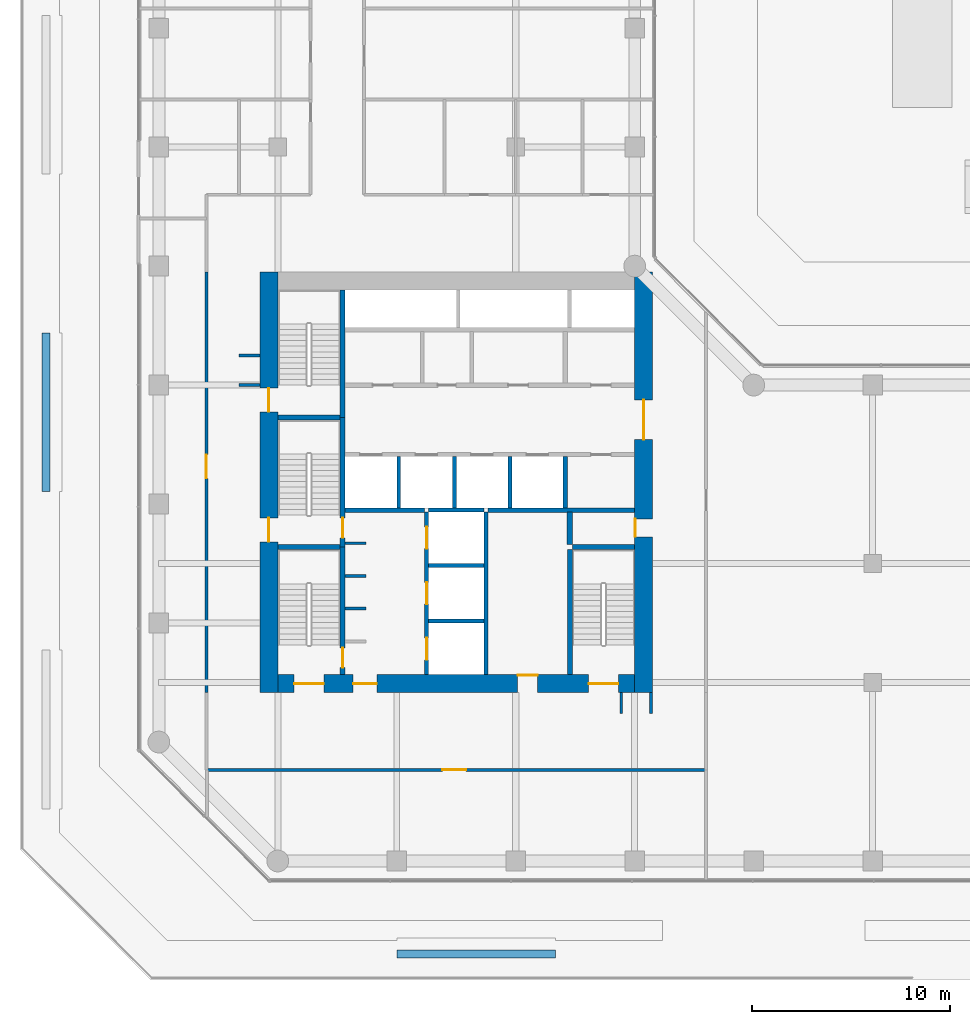
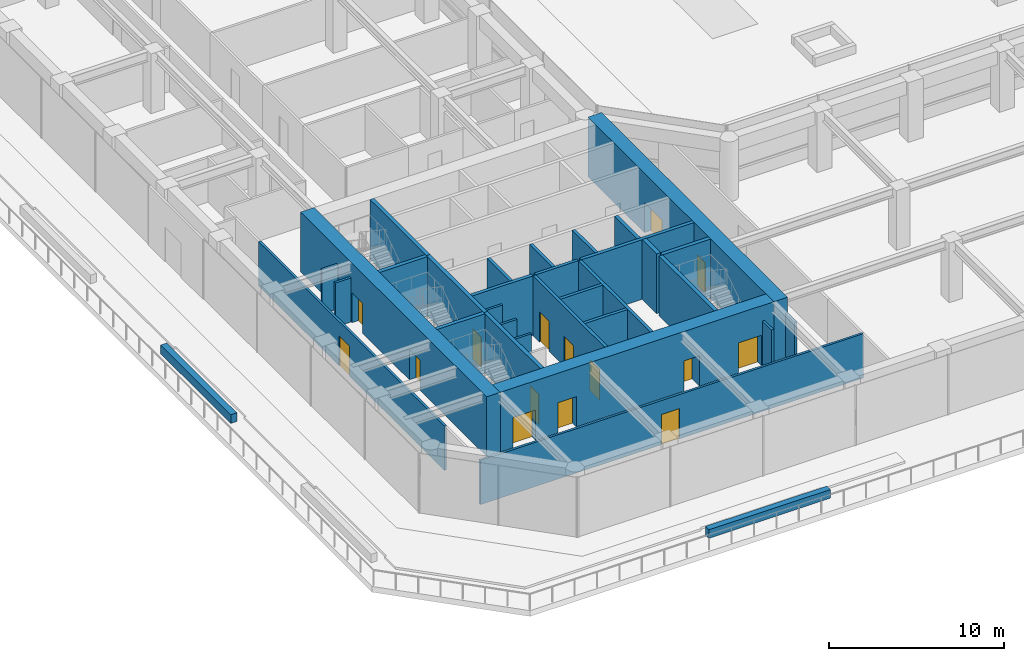
# One storey, part 24 of 31: 33 walls, 15 doors, 15 openings.
"""IFC4 building model written with IfcOpenShell, lengths in metres."""

from ifc_helpers import new_model, si_unit, direction, frame, frame_2d, origin, place, context, subcontext, project, spatial, rectangle, extrude, material, layer, layer_set, type_object, element, fill, save


model = new_model("IFC4")

# Units and contexts
model_context = context("Model", 3, precision=1e-05, world=origin(), true_north=direction((0.0, 1.0)))
body_context = subcontext(model_context, "Body", "Model", "MODEL_VIEW")
ifc_project = project(units=[si_unit("LENGTHUNIT", "METRE"), si_unit("AREAUNIT", "SQUARE_METRE"), si_unit("VOLUMEUNIT", "CUBIC_METRE"), si_unit("PLANEANGLEUNIT", "RADIAN"), si_unit("MASSUNIT", "GRAM", prefix="KILO")], contexts=[model_context])

# Site, building, storey
site_placement = place(None, origin())
site = spatial("IfcSite", under=ifc_project, at=site_placement, CompositionType="ELEMENT")
building_placement = place(site_placement, origin())
building = spatial("IfcBuilding", under=site, at=building_placement, Name="Welwitschia Terrace Campus", CompositionType="ELEMENT")
storey_placement = place(building_placement, frame((0.0, 0.0, 11.0)))
storey = spatial("IfcBuildingStorey", under=building, at=storey_placement, Name="L02", CompositionType="ELEMENT", Elevation=11.0)

# Walls
ifc_material_1 = material(Name="Concrete C32/40", Category="concrete")
ifc_layer_1 = layer(ifc_material_1, 0.22509765625)
ifc_layer_set_1 = layer_set([ifc_layer_1], Name="Concrete C32/40")
wall_type_1 = type_object("IfcWallType", Name="Core partition 225 Concrete C32/40", PredefinedType="PARTITIONING", material=ifc_layer_set_1)
wall_1_placement = place(storey_placement, frame((9.39990234375, 13.699951171875, 0.0), z_axis=(0.0, 0.0, 1.0), x_axis=(1.0, 0.0, 0.0)))
element("IfcWall", 1, at=wall_1_placement, inside=storey, type_object=wall_type_1, Name="Shaft wall", PredefinedType="PARTITIONING", context=body_context, shape_type="SweptSolid", body=[
    extrude(rectangle(XDim=4.0, YDim=0.22509765625, at=frame_2d((2.0, 0.0))), origin(), (0.0, 0.0, 1.0), 4.14990234375),
])
wall_2_placement = place(storey_placement, frame((16.60009765625, 13.699951171875, 0.0), z_axis=(0.0, 0.0, 1.0), x_axis=(1.0, 0.0, 0.0)))
element("IfcWall", 2, at=wall_2_placement, inside=storey, type_object=wall_type_1, Name="Shaft wall", PredefinedType="PARTITIONING", context=body_context, shape_type="SweptSolid", body=[
    extrude(rectangle(XDim=7.39990234375, YDim=0.22509765625, at=frame_2d((3.699951171875, 0.0))), origin(), (0.0, 0.0, 1.0), 4.14990234375),
])
wall_3_placement = place(storey_placement, frame((20.5, 13.800048828125, 0.0), z_axis=(0.0, 0.0, 1.0), x_axis=(0.0, 1.0, 0.0)))
element("IfcWall", 3, at=wall_3_placement, inside=storey, type_object=wall_type_1, Name="Shaft wall", PredefinedType="PARTITIONING", context=body_context, shape_type="SweptSolid", body=[
    extrude(rectangle(XDim=2.599853515625, YDim=0.22509765625, at=frame_2d((1.2998046875, 0.0))), origin(), (0.0, 0.0, 1.0), 4.14990234375),
])
ifc_material_2 = material(Name="Concrete C32/40", Category="concrete")
ifc_layer_2 = layer(ifc_material_2, 0.27490234375)
ifc_layer_set_2 = layer_set([ifc_layer_2], Name="Concrete C32/40")
wall_type_2 = type_object("IfcWallType", Name="Core partition 275 Concrete C32/40", PredefinedType="PARTITIONING", material=ifc_layer_set_2)
wall_4_placement = place(storey_placement, frame((20.72509765625, 11.949951171875, 0.0), z_axis=(0.0, 0.0, 1.0), x_axis=(0.0, 1.0, 0.0)))
element("IfcWall", 4, at=wall_4_placement, inside=storey, type_object=wall_type_2, Name="Core partition", PredefinedType="PARTITIONING", context=body_context, shape_type="SweptSolid", body=[
    extrude(rectangle(XDim=1.650146484375, YDim=0.27490234375, at=frame_2d((0.8251953125, 0.0))), origin(), (0.0, 0.0, 1.0), 4.14990234375),
])
ifc_material_3 = material(Name="Concrete C50/60", Category="concrete")
ifc_layer_3 = layer(ifc_material_3, 0.14990234375)
ifc_layer_set_3 = layer_set([ifc_layer_3], Name="Concrete C50/60")
wall_type_3 = type_object("IfcWallType", Name="Core wall 150 Concrete C50/60", PredefinedType="SHEAR", material=ifc_layer_set_3)
for number, where, z_axis, x_axis, name in (
    (5, (9.39990234375, 8.72509765625, 0.0), (0.0, 0.0, 1.0), (1.0, 0.0, 0.0), "Core wall"),
    (6, (9.39990234375, 10.375, 0.0), (0.0, 0.0, 1.0), (1.0, 0.0, 0.0), "Core wall"),
    (7, (9.39990234375, 12.02490234375, 0.0), (0.0, 0.0, 1.0), (1.0, 0.0, 0.0), "Core wall"),
):
    element("IfcWall", number, at=place(storey_placement, frame(where, z_axis=z_axis, x_axis=x_axis)), inside=storey, type_object=wall_type_3, Name=name, PredefinedType="SHEAR", context=body_context, shape_type="SweptSolid", body=[
        extrude(rectangle(XDim=1.050048828125, YDim=0.14990234375, at=frame_2d((0.52490234375, 0.0))), origin(), (0.0, 0.0, 1.0), 4.14990234375),
    ])
ifc_material_4 = material(Name="Concrete C50/60", Category="concrete")
ifc_layer_4 = layer(ifc_material_4, 0.199951171875)
ifc_layer_set_4 = layer_set([ifc_layer_4], Name="Concrete C50/60")
wall_type_4 = type_object("IfcWallType", Name="Core wall 200 Concrete C50/60", PredefinedType="SHEAR", material=ifc_layer_set_4)
for number, where, z_axis, x_axis, name in (
    (8, (13.60009765625, 8.10009765625, 0.0), (0.0, 0.0, 1.0), (1.0, 0.0, 0.0), "Core wall"),
    (9, (13.60009765625, 10.89990234375, 0.0), (0.0, 0.0, 1.0), (1.0, 0.0, 0.0), "Core wall"),
    (10, (13.60009765625, 13.699951171875, 0.0), (0.0, 0.0, 1.0), (1.0, 0.0, 0.0), "Core wall"),
):
    element("IfcWall", number, at=place(storey_placement, frame(where, z_axis=z_axis, x_axis=x_axis)), inside=storey, type_object=wall_type_4, Name=name, PredefinedType="SHEAR", context=body_context, shape_type="SweptSolid", body=[
        extrude(rectangle(XDim=2.7998046875, YDim=0.199951171875, at=frame_2d((1.39990234375, 0.0))), origin(), (0.0, 0.0, 1.0), 4.14990234375),
    ])

# Wall, openings, doors
wall_5_placement = place(storey_placement, frame((13.5, 5.39990234375, 0.0), z_axis=(0.0, 0.0, 1.0), x_axis=(0.0, 1.0, 0.0)))
wall_5 = element("IfcWall", 11, at=wall_5_placement, inside=storey, type_object=wall_type_4, Name="Core wall", PredefinedType="SHEAR", context=body_context, shape_type="SweptSolid", body=[
    extrude(rectangle(XDim=8.2001953125, YDim=0.199951171875, at=frame_2d((4.10009765625, 0.0))), origin(), (0.0, 0.0, 1.0), 4.14990234375),
])
opening_1_placement = place(wall_5_placement, frame((0.75, 0.0, 0.0)))
opening_1 = element("IfcOpeningElement", 12, at=opening_1_placement, cuts=wall_5, Name="Opening LD", PredefinedType="OPENING", context=body_context, shape_type="SweptSolid", body=[
    extrude(rectangle(XDim=1.10009765625, YDim=2.10009765625, at=frame_2d((0.550048828125, 1.050048828125))), frame((0.0, 0.10986328125, 0.0), z_axis=(0.0, -1.0, 0.0), x_axis=(1.0, 0.0, 0.0)), (0.0, 0.0, 1.0), 0.219970703125),
])
opening_2_placement = place(wall_5_placement, frame((3.550048828125, 0.0, 0.0)))
opening_2 = element("IfcOpeningElement", 13, at=opening_2_placement, cuts=wall_5, Name="Opening LD", PredefinedType="OPENING", context=body_context, shape_type="SweptSolid", body=[
    extrude(rectangle(XDim=1.10009765625, YDim=2.10009765625, at=frame_2d((0.550048828125, 1.050048828125))), frame((0.0, 0.10986328125, 0.0), z_axis=(0.0, -1.0, 0.0), x_axis=(1.0, 0.0, 0.0)), (0.0, 0.0, 1.0), 0.219970703125),
])
opening_3_placement = place(wall_5_placement, frame((6.35009765625, 0.0, 0.0)))
opening_3 = element("IfcOpeningElement", 14, at=opening_3_placement, cuts=wall_5, Name="Opening LD", PredefinedType="OPENING", context=body_context, shape_type="SweptSolid", body=[
    extrude(rectangle(XDim=1.10009765625, YDim=2.10009765625, at=frame_2d((0.550048828125, 1.050048828125))), frame((0.0, 0.10986328125, 0.0), z_axis=(0.0, -1.0, 0.0), x_axis=(1.0, 0.0, 0.0)), (0.0, 0.0, 1.0), 0.219970703125),
])
ifc_material_5 = material(Name="Stainless steel 304", Category="steel")
door_type_1 = type_object("IfcDoorType", Name="Lift landing door", OperationType="DOUBLE_DOOR_SLIDING", PredefinedType="DOOR", material=ifc_material_5)
door_1_placement = place(opening_1_placement, origin())
door_1 = element("IfcDoor", 15, at=door_1_placement, inside=storey, type_object=door_type_1, Name="Landing door FF1", OperationType="DOUBLE_DOOR_SLIDING", OverallHeight=2.10009765625, OverallWidth=1.10009765625, PredefinedType="DOOR", context=body_context, shape_type="SweptSolid", body=[
    extrude(rectangle(XDim=1.10009765625, YDim=2.10009765625, at=frame_2d((0.550048828125, 1.050048828125))), frame((0.0, 0.02490234375, 0.0), z_axis=(0.0, -1.0, 0.0), x_axis=(1.0, 0.0, 0.0)), (0.0, 0.0, 1.0), 0.050048828125),
])
fill(opening_1, door_1)
door_2_placement = place(opening_2_placement, origin())
door_2 = element("IfcDoor", 16, at=door_2_placement, inside=storey, type_object=door_type_1, Name="Landing door FF2", OperationType="DOUBLE_DOOR_SLIDING", OverallHeight=2.10009765625, OverallWidth=1.10009765625, PredefinedType="DOOR", context=body_context, shape_type="SweptSolid", body=[
    extrude(rectangle(XDim=1.10009765625, YDim=2.10009765625, at=frame_2d((0.550048828125, 1.050048828125))), frame((0.0, 0.02490234375, 0.0), z_axis=(0.0, -1.0, 0.0), x_axis=(1.0, 0.0, 0.0)), (0.0, 0.0, 1.0), 0.050048828125),
])
fill(opening_2, door_2)
door_3_placement = place(opening_3_placement, origin())
door_3 = element("IfcDoor", 17, at=door_3_placement, inside=storey, type_object=door_type_1, Name="Landing door SV1", OperationType="DOUBLE_DOOR_SLIDING", OverallHeight=2.10009765625, OverallWidth=1.10009765625, PredefinedType="DOOR", context=body_context, shape_type="SweptSolid", body=[
    extrude(rectangle(XDim=1.10009765625, YDim=2.10009765625, at=frame_2d((0.550048828125, 1.050048828125))), frame((0.0, 0.02490234375, 0.0), z_axis=(0.0, -1.0, 0.0), x_axis=(1.0, 0.0, 0.0)), (0.0, 0.0, 1.0), 0.050048828125),
])
fill(opening_3, door_3)

# Walls
wall_6_placement = place(storey_placement, frame((16.5, 5.39990234375, 0.0), z_axis=(0.0, 0.0, 1.0), x_axis=(0.0, 1.0, 0.0)))
element("IfcWall", 18, at=wall_6_placement, inside=storey, type_object=wall_type_4, Name="Core wall", PredefinedType="SHEAR", context=body_context, shape_type="SweptSolid", body=[
    extrude(rectangle(XDim=8.2001953125, YDim=0.199951171875, at=frame_2d((4.10009765625, 0.0))), origin(), (0.0, 0.0, 1.0), 4.14990234375),
])
ifc_material_6 = material(Name="Concrete C50/60", Category="concrete")
ifc_layer_5 = layer(ifc_material_6, 0.25)
ifc_layer_set_5 = layer_set([ifc_layer_5], Name="Concrete C50/60")
wall_type_5 = type_object("IfcWallType", Name="Core wall 250 Concrete C50/60", PredefinedType="SHEAR", material=ifc_layer_set_5)
for number, where, z_axis, x_axis, name in (
    (19, (6.0, 11.824951171875, 0.0), (0.0, 0.0, 1.0), (1.0, 0.0, 0.0), "Core wall"),
    (20, (20.85009765625, 11.824951171875, 0.0), (0.0, 0.0, 1.0), (1.0, 0.0, 0.0), "Core wall"),
    (21, (6.0, 18.375, 0.0), (0.0, 0.0, 1.0), (1.0, 0.0, 0.0), "Core wall"),
):
    element("IfcWall", number, at=place(storey_placement, frame(where, z_axis=z_axis, x_axis=x_axis)), inside=storey, type_object=wall_type_5, Name=name, PredefinedType="SHEAR", context=body_context, shape_type="SweptSolid", body=[
        extrude(rectangle(XDim=3.14990234375, YDim=0.25, at=frame_2d((1.574951171875, 0.0))), origin(), (0.0, 0.0, 1.0), 4.14990234375),
    ])

# Wall, opening, door
wall_7_placement = place(storey_placement, frame((9.27490234375, 11.824951171875, 0.0), z_axis=(0.0, 0.0, 1.0), x_axis=(0.0, -1.0, 0.0)))
wall_7 = element("IfcWall", 22, at=wall_7_placement, inside=storey, type_object=wall_type_5, Name="Core wall", PredefinedType="SHEAR", context=body_context, shape_type="SweptSolid", body=[
    extrude(rectangle(XDim=6.425048828125, YDim=0.25, at=frame_2d((3.21240234375, 0.0))), origin(), (0.0, 0.0, 1.0), 4.14990234375),
])
opening_4_placement = place(wall_7_placement, frame((5.074951171875, 0.0, 0.0)))
opening_4 = element("IfcOpeningElement", 23, at=opening_4_placement, cuts=wall_7, Name="Opening DS10", PredefinedType="OPENING", context=body_context, shape_type="SweptSolid", body=[
    extrude(rectangle(XDim=1.0, YDim=2.10009765625, at=frame_2d((0.5, 1.050048828125))), frame((0.0, 0.135009765625, 0.0), z_axis=(0.0, -1.0, 0.0), x_axis=(1.0, 0.0, 0.0)), (0.0, 0.0, 1.0), 0.27001953125),
])
ifc_material_7 = material(Name="Steel S275", Category="steel")
door_type_2 = type_object("IfcDoorType", Name="Core door DS10", OperationType="SINGLE_SWING_LEFT", PredefinedType="DOOR", material=ifc_material_7)
door_4_placement = place(opening_4_placement, origin())
door_4 = element("IfcDoor", 24, at=door_4_placement, inside=storey, type_object=door_type_2, Name="Door S1-FL", OperationType="SINGLE_SWING_RIGHT", OverallHeight=2.10009765625, OverallWidth=1.0, PredefinedType="DOOR", context=body_context, shape_type="SweptSolid", body=[
    extrude(rectangle(XDim=1.0, YDim=2.10009765625, at=frame_2d((0.5, 1.050048828125))), frame((0.0, 0.02490234375, 0.0), z_axis=(0.0, -1.0, 0.0), x_axis=(1.0, 0.0, 0.0)), (0.0, 0.0, 1.0), 0.050048828125),
])
fill(opening_4, door_4)

wall_8_placement = place(storey_placement, frame((9.27490234375, 18.375, 0.0), z_axis=(0.0, 0.0, 1.0), x_axis=(0.0, -1.0, 0.0)))
wall_8 = element("IfcWall", 25, at=wall_8_placement, inside=storey, type_object=wall_type_5, Name="Core wall", PredefinedType="SHEAR", context=body_context, shape_type="SweptSolid", body=[
    extrude(rectangle(XDim=6.550048828125, YDim=0.25, at=frame_2d((3.27490234375, 0.0))), origin(), (0.0, 0.0, 1.0), 4.14990234375),
])
opening_5_placement = place(wall_8_placement, frame((5.074951171875, 0.0, 0.0)))
opening_5 = element("IfcOpeningElement", 26, at=opening_5_placement, cuts=wall_8, Name="Opening DS10", PredefinedType="OPENING", context=body_context, shape_type="SweptSolid", body=[
    extrude(rectangle(XDim=1.0, YDim=2.10009765625, at=frame_2d((0.5, 1.050048828125))), frame((0.0, 0.135009765625, 0.0), z_axis=(0.0, -1.0, 0.0), x_axis=(1.0, 0.0, 0.0)), (0.0, 0.0, 1.0), 0.27001953125),
])
door_5_placement = place(opening_5_placement, origin())
door_5 = element("IfcDoor", 27, at=door_5_placement, inside=storey, type_object=door_type_2, Name="Door S3-FL", OperationType="SINGLE_SWING_RIGHT", OverallHeight=2.10009765625, OverallWidth=1.0, PredefinedType="DOOR", context=body_context, shape_type="SweptSolid", body=[
    extrude(rectangle(XDim=1.0, YDim=2.10009765625, at=frame_2d((0.5, 1.050048828125))), frame((0.0, 0.02490234375, 0.0), z_axis=(0.0, -1.0, 0.0), x_axis=(1.0, 0.0, 0.0)), (0.0, 0.0, 1.0), 0.050048828125),
])
fill(opening_5, door_5)

# Walls
wall_9_placement = place(storey_placement, frame((9.27490234375, 18.375, 0.0), z_axis=(0.0, 0.0, 1.0), x_axis=(0.0, 1.0, 0.0)))
element("IfcWall", 28, at=wall_9_placement, inside=storey, type_object=wall_type_5, Name="Core wall", PredefinedType="SHEAR", context=body_context, shape_type="SweptSolid", body=[
    extrude(rectangle(XDim=6.425048828125, YDim=0.25, at=frame_2d((3.21240234375, 0.0))), origin(), (0.0, 0.0, 1.0), 4.14990234375),
])
wall_10_placement = place(storey_placement, frame((20.72509765625, 5.39990234375, 0.0), z_axis=(0.0, 0.0, 1.0), x_axis=(0.0, 1.0, 0.0)))
element("IfcWall", 29, at=wall_10_placement, inside=storey, type_object=wall_type_5, Name="Core wall", PredefinedType="SHEAR", context=body_context, shape_type="SweptSolid", body=[
    extrude(rectangle(XDim=6.300048828125, YDim=0.25, at=frame_2d((3.14990234375, 0.0))), origin(), (0.0, 0.0, 1.0), 4.14990234375),
])

# Wall, openings, doors
ifc_material_8 = material(Name="Concrete C70/85", Category="concrete")
ifc_layer_6 = layer(ifc_material_8, 0.89990234375)
ifc_layer_set_6 = layer_set([ifc_layer_6], Name="Concrete C70/85")
wall_type_6 = type_object("IfcWallType", Name="Core wall 900 Concrete C70/85", PredefinedType="SHEAR", material=ifc_layer_set_6)
wall_11_placement = place(storey_placement, frame((5.550048828125, 4.5, 0.0), z_axis=(0.0, 0.0, 1.0), x_axis=(0.0, 1.0, 0.0)))
wall_11 = element("IfcWall", 30, at=wall_11_placement, inside=storey, type_object=wall_type_6, Name="Core outer wall", PredefinedType="SHEAR", context=body_context, shape_type="SweptSolid", body=[
    extrude(rectangle(XDim=21.199951171875, YDim=0.89990234375, at=frame_2d((10.60009765625, 0.0))), origin(), (0.0, 0.0, 1.0), 4.14990234375),
])
opening_6_placement = place(wall_11_placement, frame((7.60009765625, 0.0, 0.0)))
opening_6 = element("IfcOpeningElement", 31, at=opening_6_placement, cuts=wall_11, Name="Opening DS12", PredefinedType="OPENING", context=body_context, shape_type="SweptSolid", body=[
    extrude(rectangle(XDim=1.199951171875, YDim=2.10009765625, at=frame_2d((0.60009765625, 1.050048828125))), frame((0.0, 0.4599609375, 0.0), z_axis=(0.0, -1.0, 0.0), x_axis=(1.0, 0.0, 0.0)), (0.0, 0.0, 1.0), 0.919921875),
])
opening_7_placement = place(wall_11_placement, frame((14.14990234375, 0.0, 0.0)))
opening_7 = element("IfcOpeningElement", 32, at=opening_7_placement, cuts=wall_11, Name="Opening DS12", PredefinedType="OPENING", context=body_context, shape_type="SweptSolid", body=[
    extrude(rectangle(XDim=1.199951171875, YDim=2.10009765625, at=frame_2d((0.60009765625, 1.050048828125))), frame((0.0, 0.4599609375, 0.0), z_axis=(0.0, -1.0, 0.0), x_axis=(1.0, 0.0, 0.0)), (0.0, 0.0, 1.0), 0.919921875),
])
ifc_material_9 = material(Name="Steel S275", Category="steel")
door_type_3 = type_object("IfcDoorType", Name="Core door DS12", OperationType="SINGLE_SWING_LEFT", PredefinedType="DOOR", material=ifc_material_9)
door_6_placement = place(opening_6_placement, origin())
door_6 = element("IfcDoor", 33, at=door_6_placement, inside=storey, type_object=door_type_3, Name="Door S3-out", OperationType="SINGLE_SWING_LEFT", OverallHeight=2.10009765625, OverallWidth=1.199951171875, PredefinedType="DOOR", context=body_context, shape_type="SweptSolid", body=[
    extrude(rectangle(XDim=1.199951171875, YDim=2.10009765625, at=frame_2d((0.60009765625, 1.050048828125))), frame((0.0, 0.02490234375, 0.0), z_axis=(0.0, -1.0, 0.0), x_axis=(1.0, 0.0, 0.0)), (0.0, 0.0, 1.0), 0.050048828125),
])
fill(opening_6, door_6)
door_7_placement = place(opening_7_placement, origin())
door_7 = element("IfcDoor", 34, at=door_7_placement, inside=storey, type_object=door_type_3, Name="Door S4-out", OperationType="SINGLE_SWING_RIGHT", OverallHeight=2.10009765625, OverallWidth=1.199951171875, PredefinedType="DOOR", context=body_context, shape_type="SweptSolid", body=[
    extrude(rectangle(XDim=1.199951171875, YDim=2.10009765625, at=frame_2d((0.60009765625, 1.050048828125))), frame((0.0, 0.02490234375, 0.0), z_axis=(0.0, -1.0, 0.0), x_axis=(1.0, 0.0, 0.0)), (0.0, 0.0, 1.0), 0.050048828125),
])
fill(opening_7, door_7)

wall_12_placement = place(storey_placement, frame((24.449951171875, 25.699951171875, 0.0), z_axis=(0.0, 0.0, 1.0), x_axis=(0.0, -1.0, 0.0)))
wall_12 = element("IfcWall", 35, at=wall_12_placement, inside=storey, type_object=wall_type_6, Name="Core outer wall", PredefinedType="SHEAR", context=body_context, shape_type="SweptSolid", body=[
    extrude(rectangle(XDim=21.199951171875, YDim=0.89990234375, at=frame_2d((10.60009765625, 0.0))), origin(), (0.0, 0.0, 1.0), 4.14990234375),
])
opening_8_placement = place(wall_12_placement, frame((12.449951171875, 0.0, 0.0)))
opening_8 = element("IfcOpeningElement", 36, at=opening_8_placement, cuts=wall_12, Name="Opening DR09", PredefinedType="OPENING", context=body_context, shape_type="SweptSolid", body=[
    extrude(rectangle(XDim=0.89990234375, YDim=2.10009765625, at=frame_2d((0.449951171875, 1.050048828125))), frame((0.0, 0.4599609375, 0.0), z_axis=(0.0, -1.0, 0.0), x_axis=(1.0, 0.0, 0.0)), (0.0, 0.0, 1.0), 0.919921875),
])
opening_9_placement = place(wall_12_placement, frame((6.449951171875, 0.0, 0.0)))
opening_9 = element("IfcOpeningElement", 37, at=opening_9_placement, cuts=wall_12, Name="Opening DL20", PredefinedType="OPENING", context=body_context, shape_type="SweptSolid", body=[
    extrude(rectangle(XDim=2.0, YDim=2.10009765625, at=frame_2d((1.0, 1.050048828125))), frame((0.0, 0.4599609375, 0.0), z_axis=(0.0, -1.0, 0.0), x_axis=(1.0, 0.0, 0.0)), (0.0, 0.0, 1.0), 0.919921875),
])
ifc_material_10 = material(Name="Steel S275", Category="steel")
door_type_4 = type_object("IfcDoorType", Name="Core door DL20", OperationType="DOUBLE_DOOR_SINGLE_SWING", PredefinedType="DOOR", material=ifc_material_10)
door_8_placement = place(opening_9_placement, origin())
door_8 = element("IfcDoor", 38, at=door_8_placement, inside=storey, type_object=door_type_4, Name="Door LOBBY-out", OperationType="DOUBLE_DOOR_SINGLE_SWING", OverallHeight=2.10009765625, OverallWidth=2.0, PredefinedType="DOOR", context=body_context, shape_type="SweptSolid", body=[
    extrude(rectangle(XDim=2.0, YDim=2.10009765625, at=frame_2d((1.0, 1.050048828125))), frame((0.0, 0.02490234375, 0.0), z_axis=(0.0, -1.0, 0.0), x_axis=(1.0, 0.0, 0.0)), (0.0, 0.0, 1.0), 0.050048828125),
])
fill(opening_9, door_8)
ifc_material_11 = material(Name="Steel S275", Category="steel")
door_type_5 = type_object("IfcDoorType", Name="Core door DR09", OperationType="SINGLE_SWING_LEFT", PredefinedType="DOOR", material=ifc_material_11)
door_9_placement = place(opening_8_placement, origin())
door_9 = element("IfcDoor", 39, at=door_9_placement, inside=storey, type_object=door_type_5, Name="Door F1B-out", OperationType="SINGLE_SWING_RIGHT", OverallHeight=2.10009765625, OverallWidth=0.89990234375, PredefinedType="DOOR", context=body_context, shape_type="SweptSolid", body=[
    extrude(rectangle(XDim=0.89990234375, YDim=2.10009765625, at=frame_2d((0.449951171875, 1.050048828125))), frame((0.0, -0.39013671875, 0.0), z_axis=(0.0, -1.0, 0.0), x_axis=(1.0, 0.0, 0.0)), (0.0, 0.0, 1.0), 0.050048828125),
])
fill(opening_8, door_9)

wall_13_placement = place(storey_placement, frame((24.0, 4.949951171875, 0.0), z_axis=(0.0, 0.0, 1.0), x_axis=(-1.0, 0.0, 0.0)))
wall_13 = element("IfcWall", 40, at=wall_13_placement, inside=storey, type_object=wall_type_6, Name="Core outer wall", PredefinedType="SHEAR", context=body_context, shape_type="SweptSolid", body=[
    extrude(rectangle(XDim=18.0, YDim=0.89990234375, at=frame_2d((9.0, 0.0))), origin(), (0.0, 0.0, 1.0), 4.14990234375),
])
opening_10_placement = place(wall_13_placement, frame((15.675048828125, 0.0, 0.0)))
opening_10 = element("IfcOpeningElement", 41, at=opening_10_placement, cuts=wall_13, Name="Opening DS15", PredefinedType="OPENING", context=body_context, shape_type="SweptSolid", body=[
    extrude(rectangle(XDim=1.5, YDim=2.10009765625, at=frame_2d((0.75, 1.050048828125))), frame((0.0, 0.4599609375, 0.0), z_axis=(0.0, -1.0, 0.0), x_axis=(1.0, 0.0, 0.0)), (0.0, 0.0, 1.0), 0.919921875),
])
opening_11_placement = place(wall_13_placement, frame((0.824951171875, 0.0, 0.0)))
opening_11 = element("IfcOpeningElement", 42, at=opening_11_placement, cuts=wall_13, Name="Opening DS15", PredefinedType="OPENING", context=body_context, shape_type="SweptSolid", body=[
    extrude(rectangle(XDim=1.5, YDim=2.10009765625, at=frame_2d((0.75, 1.050048828125))), frame((0.0, 0.4599609375, 0.0), z_axis=(0.0, -1.0, 0.0), x_axis=(1.0, 0.0, 0.0)), (0.0, 0.0, 1.0), 0.919921875),
])
opening_12_placement = place(wall_13_placement, frame((13.0, 0.0, 0.0)))
opening_12 = element("IfcOpeningElement", 43, at=opening_12_placement, cuts=wall_13, Name="Opening DF12", PredefinedType="OPENING", context=body_context, shape_type="SweptSolid", body=[
    extrude(rectangle(XDim=1.199951171875, YDim=2.10009765625, at=frame_2d((0.60009765625, 1.050048828125))), frame((0.0, 0.4599609375, 0.0), z_axis=(0.0, -1.0, 0.0), x_axis=(1.0, 0.0, 0.0)), (0.0, 0.0, 1.0), 0.919921875),
])
opening_13_placement = place(wall_13_placement, frame((4.89990234375, 0.0, 0.0)))
opening_13 = element("IfcOpeningElement", 44, at=opening_13_placement, cuts=wall_13, Name="Opening DR10", PredefinedType="OPENING", context=body_context, shape_type="SweptSolid", body=[
    extrude(rectangle(XDim=1.0, YDim=2.10009765625, at=frame_2d((0.5, 1.050048828125))), frame((0.0, 0.4599609375, 0.0), z_axis=(0.0, -1.0, 0.0), x_axis=(1.0, 0.0, 0.0)), (0.0, 0.0, 1.0), 0.919921875),
])
ifc_material_12 = material(Name="Steel S275", Category="steel")
door_type_6 = type_object("IfcDoorType", Name="Core door DF12", OperationType="SINGLE_SWING_LEFT", PredefinedType="DOOR", material=ifc_material_12)
door_10_placement = place(opening_12_placement, origin())
door_10 = element("IfcDoor", 45, at=door_10_placement, inside=storey, type_object=door_type_6, Name="Door FL-out", OperationType="SINGLE_SWING_RIGHT", OverallHeight=2.10009765625, OverallWidth=1.199951171875, PredefinedType="DOOR", context=body_context, shape_type="SweptSolid", body=[
    extrude(rectangle(XDim=1.199951171875, YDim=2.10009765625, at=frame_2d((0.60009765625, 1.050048828125))), frame((0.0, 0.02490234375, 0.0), z_axis=(0.0, -1.0, 0.0), x_axis=(1.0, 0.0, 0.0)), (0.0, 0.0, 1.0), 0.050048828125),
])
fill(opening_12, door_10)
ifc_material_13 = material(Name="Steel S275", Category="steel")
door_type_7 = type_object("IfcDoorType", Name="Core door DR10", OperationType="SINGLE_SWING_LEFT", PredefinedType="DOOR", material=ifc_material_13)
door_11_placement = place(opening_13_placement, origin())
door_11 = element("IfcDoor", 46, at=door_11_placement, inside=storey, type_object=door_type_7, Name="Door F1-out", OperationType="SINGLE_SWING_LEFT", OverallHeight=2.10009765625, OverallWidth=1.0, PredefinedType="DOOR", context=body_context, shape_type="SweptSolid", body=[
    extrude(rectangle(XDim=1.0, YDim=2.10009765625, at=frame_2d((0.5, 1.050048828125))), frame((0.0, -0.39013671875, 0.0), z_axis=(0.0, -1.0, 0.0), x_axis=(1.0, 0.0, 0.0)), (0.0, 0.0, 1.0), 0.050048828125),
])
fill(opening_13, door_11)
ifc_material_14 = material(Name="Steel S275", Category="steel")
door_type_8 = type_object("IfcDoorType", Name="Core door DS15", OperationType="DOUBLE_DOOR_SINGLE_SWING", PredefinedType="DOOR", material=ifc_material_14)
door_12_placement = place(opening_10_placement, origin())
door_12 = element("IfcDoor", 47, at=door_12_placement, inside=storey, type_object=door_type_8, Name="Door S1-out", OperationType="DOUBLE_DOOR_SINGLE_SWING", OverallHeight=2.10009765625, OverallWidth=1.5, PredefinedType="DOOR", context=body_context, shape_type="SweptSolid", body=[
    extrude(rectangle(XDim=1.5, YDim=2.10009765625, at=frame_2d((0.75, 1.050048828125))), frame((0.0, 0.02490234375, 0.0), z_axis=(0.0, -1.0, 0.0), x_axis=(1.0, 0.0, 0.0)), (0.0, 0.0, 1.0), 0.050048828125),
])
fill(opening_10, door_12)
door_13_placement = place(opening_11_placement, origin())
door_13 = element("IfcDoor", 48, at=door_13_placement, inside=storey, type_object=door_type_8, Name="Door S2-out", OperationType="DOUBLE_DOOR_SINGLE_SWING", OverallHeight=2.10009765625, OverallWidth=1.5, PredefinedType="DOOR", context=body_context, shape_type="SweptSolid", body=[
    extrude(rectangle(XDim=1.5, YDim=2.10009765625, at=frame_2d((0.75, 1.050048828125))), frame((0.0, 0.02490234375, 0.0), z_axis=(0.0, -1.0, 0.0), x_axis=(1.0, 0.0, 0.0)), (0.0, 0.0, 1.0), 0.050048828125),
])
fill(opening_11, door_13)

# Wall, opening, door
ifc_material_15 = material(Name="Gypsum board on steel studs", Category="steel")
ifc_layer_7 = layer(ifc_material_15, 0.14990234375)
ifc_layer_set_7 = layer_set([ifc_layer_7], Name="Gypsum board on steel studs")
wall_type_7 = type_object("IfcWallType", Name="Corridor partition 150 EI 30", PredefinedType="PARTITIONING", material=ifc_layer_set_7)
wall_14_placement = place(storey_placement, frame((2.39990234375, 4.5, 0.0), z_axis=(0.0, 0.0, 1.0), x_axis=(0.0, 1.0, 0.0)))
wall_14 = element("IfcWall", 49, at=wall_14_placement, inside=storey, type_object=wall_type_7, Name="Partition", PredefinedType="PARTITIONING", context=body_context, shape_type="SweptSolid", body=[
    extrude(rectangle(XDim=21.199951171875, YDim=0.14990234375, at=frame_2d((10.60009765625, 0.0))), origin(), (0.0, 0.0, 1.0), 3.080078125),
])
opening_14_placement = place(wall_14_placement, frame((10.800048828125, 0.0, 0.0)))
opening_14 = element("IfcOpeningElement", 50, at=opening_14_placement, cuts=wall_14, Name="Opening DI12", PredefinedType="OPENING", context=body_context, shape_type="SweptSolid", body=[
    extrude(rectangle(XDim=1.199951171875, YDim=2.10009765625, at=frame_2d((0.60009765625, 1.050048828125))), frame((0.0, 0.0849609375, 0.0), z_axis=(0.0, -1.0, 0.0), x_axis=(1.0, 0.0, 0.0)), (0.0, 0.0, 1.0), 0.169921875),
])
ifc_material_16 = material(Name="Timber veneered door", Category="wood")
door_type_9 = type_object("IfcDoorType", Name="Interior door DI12", OperationType="NOTDEFINED", PredefinedType="DOOR", material=ifc_material_16)
door_14_placement = place(opening_14_placement, origin())
door_14 = element("IfcDoor", 51, at=door_14_placement, inside=storey, type_object=door_type_9, Name="Door L02 095", OperationType="SINGLE_SWING_RIGHT", OverallHeight=2.10009765625, OverallWidth=1.199951171875, PredefinedType="DOOR", context=body_context, shape_type="SweptSolid", body=[
    extrude(rectangle(XDim=1.199951171875, YDim=2.10009765625, at=frame_2d((0.60009765625, 1.050048828125))), frame((0.0, 0.02490234375, 0.0), z_axis=(0.0, -1.0, 0.0), x_axis=(1.0, 0.0, 0.0)), (0.0, 0.0, 1.0), 0.050048828125),
])
fill(opening_14, door_14)

# Walls
for number, where, z_axis, x_axis, name in (
    (52, (4.050048828125, 20.0, 0.0), (0.0, 0.0, 1.0), (1.0, 0.0, 0.0), "Partition"),
    (53, (4.050048828125, 21.5, 0.0), (0.0, 0.0, 1.0), (1.0, 0.0, 0.0), "Partition"),
    (54, (23.320068359375, 3.449951171875, 0.0), (0.0, 0.0, 1.0), (0.0, 1.0, 0.0), "Partition"),
    (55, (24.830078125, 3.449951171875, 0.0), (0.0, 0.0, 1.0), (0.0, 1.0, 0.0), "Partition"),
):
    element("IfcWall", number, at=place(storey_placement, frame(where, z_axis=z_axis, x_axis=x_axis)), inside=storey, type_object=wall_type_7, Name=name, PredefinedType="PARTITIONING", context=body_context, shape_type="SweptSolid", body=[
        extrude(rectangle(XDim=1.050048828125, YDim=0.14990234375, at=frame_2d((0.52490234375, 0.0))), origin(), (0.0, 0.0, 1.0), 3.080078125),
    ])

# Wall, opening, door
wall_15_placement = place(storey_placement, frame((27.60009765625, 0.60009765625, 0.0), z_axis=(0.0, 0.0, 1.0), x_axis=(-1.0, 0.0, 0.0)))
wall_15 = element("IfcWall", 56, at=wall_15_placement, inside=storey, type_object=wall_type_7, Name="Partition", PredefinedType="PARTITIONING", context=body_context, shape_type="SweptSolid", body=[
    extrude(rectangle(XDim=25.2001953125, YDim=0.14990234375, at=frame_2d((12.60009765625, 0.0))), origin(), (0.0, 0.0, 1.0), 3.080078125),
])
opening_15_placement = place(wall_15_placement, frame((12.10009765625, 0.0, 0.0)))
opening_15 = element("IfcOpeningElement", 57, at=opening_15_placement, cuts=wall_15, Name="Opening DI12", PredefinedType="OPENING", context=body_context, shape_type="SweptSolid", body=[
    extrude(rectangle(XDim=1.199951171875, YDim=2.10009765625, at=frame_2d((0.60009765625, 1.050048828125))), frame((0.0, 0.0849609375, 0.0), z_axis=(0.0, -1.0, 0.0), x_axis=(1.0, 0.0, 0.0)), (0.0, 0.0, 1.0), 0.169921875),
])
door_15_placement = place(opening_15_placement, origin())
door_15 = element("IfcDoor", 58, at=door_15_placement, inside=storey, type_object=door_type_9, Name="Door L02 107", OperationType="SINGLE_SWING_RIGHT", OverallHeight=2.10009765625, OverallWidth=1.199951171875, PredefinedType="DOOR", context=body_context, shape_type="SweptSolid", body=[
    extrude(rectangle(XDim=1.199951171875, YDim=2.10009765625, at=frame_2d((0.60009765625, 1.050048828125))), frame((0.0, 0.02490234375, 0.0), z_axis=(0.0, -1.0, 0.0), x_axis=(1.0, 0.0, 0.0)), (0.0, 0.0, 1.0), 0.050048828125),
])
fill(opening_15, door_15)

# Walls
ifc_material_17 = material(Name="Concrete C40/50", Category="concrete")
ifc_layer_8 = layer(ifc_material_17, 0.39990234375)
ifc_layer_set_8 = layer_set([ifc_layer_8], Name="Concrete C40/50")
wall_type_8 = type_object("IfcWallType", Name="Planter wall 400", PredefinedType="SOLIDWALL", material=ifc_layer_set_8)
for number, where, z_axis, x_axis, name in (
    (59, (20.0, -8.679931640625, 0.0), (0.0, 0.0, 1.0), (-1.0, 0.0, 0.0), "PLANTER"),
    (60, (-5.679931640625, 14.635498046875, 0.0), (0.0, 0.0, 1.0), (0.0, 1.0, 0.0), "PLANTER"),
):
    element("IfcWall", number, at=place(storey_placement, frame(where, z_axis=z_axis, x_axis=x_axis)), inside=storey, type_object=wall_type_8, Name=name, PredefinedType="SOLIDWALL", context=body_context, shape_type="SweptSolid", body=[
        extrude(rectangle(XDim=8.0, YDim=0.39990234375, at=frame_2d((4.0, 0.0))), origin(), (0.0, 0.0, 1.0), 0.60009765625),
    ])
ifc_material_18 = material(Name="Concrete C32/40", Category="concrete")
ifc_layer_9 = layer(ifc_material_18, 0.199951171875)
ifc_layer_set_9 = layer_set([ifc_layer_9], Name="Concrete C32/40")
wall_type_9 = type_object("IfcWallType", Name="Shaft wall 200 Concrete C32/40", PredefinedType="SOLIDWALL", material=ifc_layer_set_9)
for number, where, z_axis, x_axis, name in (
    (61, (12.10009765625, 13.800048828125, 0.0), (0.0, 0.0, 1.0), (0.0, 1.0, 0.0), "Shaft wall"),
    (62, (14.89990234375, 13.800048828125, 0.0), (0.0, 0.0, 1.0), (0.0, 1.0, 0.0), "Shaft wall"),
    (63, (17.699951171875, 13.800048828125, 0.0), (0.0, 0.0, 1.0), (0.0, 1.0, 0.0), "Shaft wall"),
):
    element("IfcWall", number, at=place(storey_placement, frame(where, z_axis=z_axis, x_axis=x_axis)), inside=storey, type_object=wall_type_9, Name=name, PredefinedType="SOLIDWALL", context=body_context, shape_type="SweptSolid", body=[
        extrude(rectangle(XDim=2.599853515625, YDim=0.199951171875, at=frame_2d((1.2998046875, 0.0))), origin(), (0.0, 0.0, 1.0), 4.14990234375),
    ])

save(model, "model.ifc")
